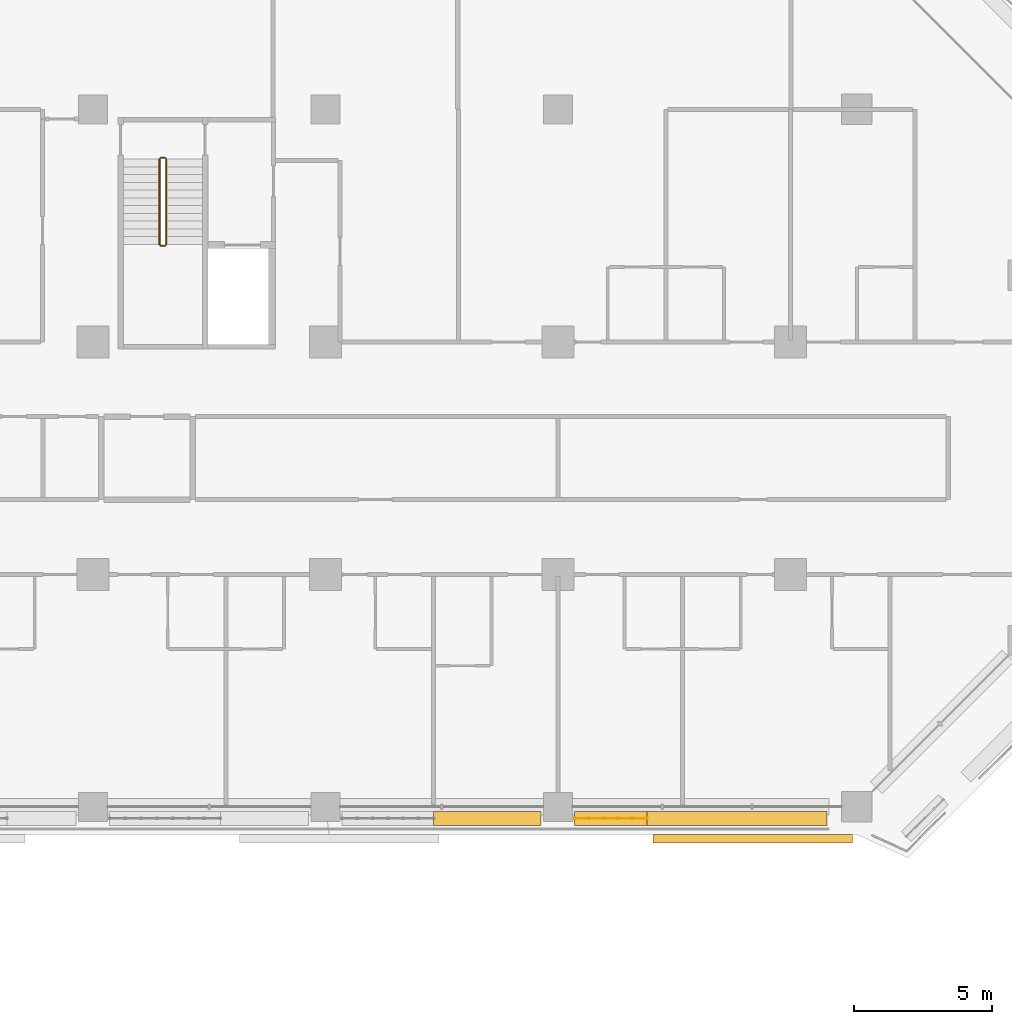
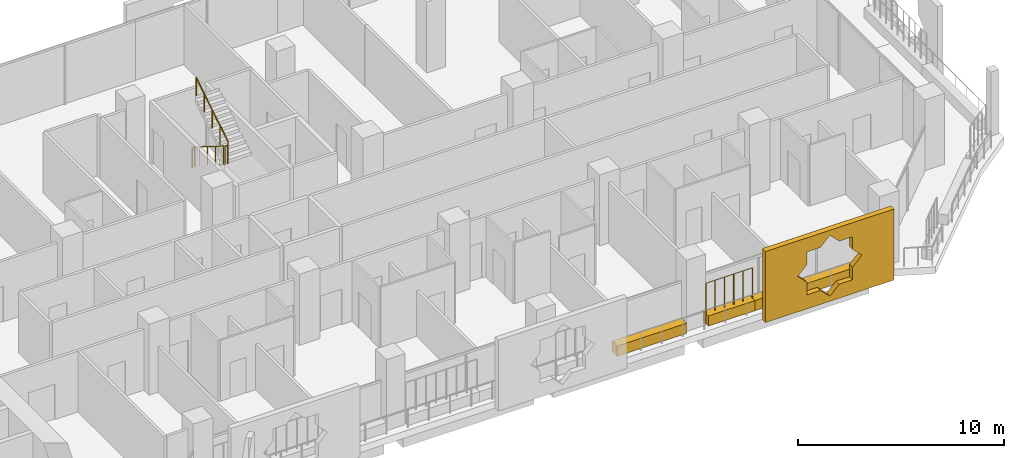
# One storey, part 24 of 26: 5 railings, 4 coverings.
"""IFC4 building model written with IfcOpenShell, lengths in metres."""

from ifc_helpers import new_model, si_unit, direction, frame, origin, origin_2d, place, context, subcontext, project, spatial, polyline, rectangle, circle, outline, extrude, material, material_profile, profile_set, type_object, element, save


model = new_model("IFC4")

# Units and contexts
model_context = context("Model", 3, precision=1e-05, world=origin(), true_north=direction((0.0, 1.0)))
body_context = subcontext(model_context, "Body", "Model", "MODEL_VIEW")
ifc_project = project(units=[si_unit("LENGTHUNIT", "METRE"), si_unit("AREAUNIT", "SQUARE_METRE"), si_unit("VOLUMEUNIT", "CUBIC_METRE"), si_unit("PLANEANGLEUNIT", "RADIAN"), si_unit("MASSUNIT", "GRAM", prefix="KILO")], contexts=[model_context])

# Site, building, storey
site_placement = place(None, origin())
site = spatial("IfcSite", under=ifc_project, at=site_placement, CompositionType="ELEMENT")
building_placement = place(site_placement, origin())
building = spatial("IfcBuilding", under=site, at=building_placement, Name="Kawkab Arch Medical Tower", CompositionType="ELEMENT")
storey_placement = place(building_placement, frame((0.0, 0.0, 119.800048828125)))
storey = spatial("IfcBuildingStorey", under=building, at=storey_placement, Name="L27", CompositionType="ELEMENT", Elevation=119.800048828125)

# Coverings
ifc_material_1 = material(Name="Bronze anodised aluminium mashrabiya panel, eight-point star pattern", Category="aluminium")
ifc_material_profile_1 = material_profile(ifc_material_1, outline(polyline([(-3.60009765625, -2.10009765625), (3.60009765625, -2.10009765625), (3.60009765625, 2.10009765625), (-3.60009765625, 2.10009765625), (-3.60009765625, -2.10009765625)]), holes=[polyline([(1.800048828125, 0.0), (1.272705078125, 0.527099609375), (1.272705078125, 1.272705078125), (0.527099609375, 1.272705078125), (0.0, 1.800048828125), (-0.527099609375, 1.272705078125), (-1.272705078125, 1.272705078125), (-1.272705078125, 0.527099609375), (-1.800048828125, 0.0), (-1.272705078125, -0.527099609375), (-1.272705078125, -1.272705078125), (-0.527099609375, -1.272705078125), (0.0, -1.800048828125), (0.527099609375, -1.272705078125), (1.272705078125, -1.272705078125), (1.272705078125, -0.527099609375), (1.800048828125, 0.0)])]), Name="Mashrabiya panel 7200x4200")
ifc_profile_set_1 = profile_set([ifc_material_profile_1], Name="Bronze anodised aluminium mashrabiya panel, eight-point star pattern")
covering_type_1 = type_object("IfcCoveringType", Name="Mashrabiya panel 7200 x 4200", PredefinedType="USERDEFINED", material=ifc_profile_set_1)
covering_1_placement = place(storey_placement, frame((65.840087890625, -26.199951171875, 1.699951171875), z_axis=(0.0, -1.0, 0.0), x_axis=(1.0, 0.0, 0.0)))
element("IfcCovering", 1, at=covering_1_placement, inside=storey, type_object=covering_type_1, Name="Mashrabiya panel L27.LOG-01-01.11", ObjectType="SCREEN", PredefinedType="USERDEFINED", context=body_context, shape_type="SweptSolid", body=[
    extrude(outline(polyline([(-3.60009765625, -2.10009765625), (3.60009765625, -2.10009765625), (3.60009765625, 2.10009765625), (-3.60009765625, 2.10009765625), (-3.60009765625, -2.10009765625)]), holes=[polyline([(1.800048828125, 0.0), (1.272705078125, 0.527099609375), (1.272705078125, 1.272705078125), (0.527099609375, 1.272705078125), (0.0, 1.800048828125), (-0.527099609375, 1.272705078125), (-1.272705078125, 1.272705078125), (-1.272705078125, 0.527099609375), (-1.800048828125, 0.0), (-1.272705078125, -0.527099609375), (-1.272705078125, -1.272705078125), (-0.527099609375, -1.272705078125), (0.0, -1.800048828125), (0.527099609375, -1.272705078125), (1.272705078125, -1.272705078125), (1.272705078125, -0.527099609375), (1.800048828125, 0.0)])]), origin(), (0.0, 0.0, 1.0), 0.300048828125),
])
ifc_material_2 = material(Name="Planting soil in a precast trough", Category="concrete")
ifc_material_profile_2 = material_profile(ifc_material_2, rectangle(XDim=0.5, YDim=0.60009765625, at=origin_2d()), Name="Trough 500x600")
ifc_profile_set_2 = profile_set([ifc_material_profile_2], Name="Planting soil in a precast trough")
covering_type_2 = type_object("IfcCoveringType", Name="Planter trough 500 x 600", PredefinedType="USERDEFINED", material=ifc_profile_set_2)
covering_2_placement = place(storey_placement, frame((68.52001953125, -25.6201171875, 0.300048828125), z_axis=(-1.0, 0.0, 0.0), x_axis=(0.0, -1.0, 0.0)))
element("IfcCovering", 2, at=covering_2_placement, inside=storey, type_object=covering_type_2, Name="Planter L27.LOG-01-01.34", ObjectType="PLANTER", PredefinedType="USERDEFINED", context=body_context, shape_type="SweptSolid", body=[
    extrude(rectangle(XDim=0.5, YDim=0.60009765625, at=origin_2d()), origin(), (0.0, 0.0, 1.0), 6.501953125),
])
covering_3_placement = place(storey_placement, frame((62.01806640625, -25.6201171875, 0.300048828125), z_axis=(-1.0, 0.0, 0.0), x_axis=(0.0, -1.0, 0.0)))
element("IfcCovering", 3, at=covering_3_placement, inside=storey, type_object=covering_type_2, Name="Planter L27.LOG-01-01.35", ObjectType="PLANTER", PredefinedType="USERDEFINED", context=body_context, shape_type="SweptSolid", body=[
    extrude(rectangle(XDim=0.5, YDim=0.60009765625, at=origin_2d()), origin(), (0.0, 0.0, 1.0), 2.613037109375),
])
covering_4_placement = place(storey_placement, frame((58.195068359375, -25.6201171875, 0.300048828125), z_axis=(-1.0, 0.0, 0.0), x_axis=(0.0, -1.0, 0.0)))
element("IfcCovering", 4, at=covering_4_placement, inside=storey, type_object=covering_type_2, Name="Planter L27.LOG-01-01.36", ObjectType="PLANTER", PredefinedType="USERDEFINED", context=body_context, shape_type="SweptSolid", body=[
    extrude(rectangle(XDim=0.5, YDim=0.60009765625, at=origin_2d()), origin(), (0.0, 0.0, 1.0), 3.885986328125),
])

# Railings
ifc_material_3 = material(Name="Bronze anodised aluminium trellis for climbing plants", Category="aluminium")
railing_type_1 = type_object("IfcRailingType", Name="Planting trellis 2400", PredefinedType="USERDEFINED", material=ifc_material_3)
railing_1_placement = place(storey_placement, frame((62.01806640625, -25.6201171875, 0.0)))
element("IfcRailing", 5, at=railing_1_placement, inside=storey, type_object=railing_type_1, Name="Planting trellis L27.LOG-01-01.35", ObjectType="TRELLIS", PredefinedType="USERDEFINED", context=body_context, shape_type="SweptSolid", body=[
    extrude(circle(Radius=0.01513671875, at=origin_2d()), frame((0.0, 0.0, 2.384765625), z_axis=(-1.0, 0.0, 0.0), x_axis=(0.0, -1.0, 0.0)), (0.0, 0.0, 1.0), 2.613037109375),
    extrude(circle(Radius=0.030029296875, at=origin_2d()), origin(), (0.0, 0.0, 1.0), 2.369873046875),
    extrude(circle(Radius=0.030029296875, at=origin_2d()), frame((-0.522705078125, 0.0, 0.0)), (0.0, 0.0, 1.0), 2.369873046875),
    extrude(circle(Radius=0.030029296875, at=origin_2d()), frame((-1.045166015625, 0.0, 0.0)), (0.0, 0.0, 1.0), 2.369873046875),
    extrude(circle(Radius=0.030029296875, at=origin_2d()), frame((-1.56787109375, 0.0, 0.0)), (0.0, 0.0, 1.0), 2.369873046875),
    extrude(circle(Radius=0.030029296875, at=origin_2d()), frame((-2.09033203125, 0.0, 0.0)), (0.0, 0.0, 1.0), 2.369873046875),
    extrude(circle(Radius=0.030029296875, at=origin_2d()), frame((-2.613037109375, 0.0, 0.0)), (0.0, 0.0, 1.0), 2.369873046875),
])
ifc_material_4 = material(Name="Stainless steel", Category="steel")
railing_type_2 = type_object("IfcRailingType", Name="Stair guard 1100", PredefinedType="GUARDRAIL", material=ifc_material_4)
railing_2_placement = place(storey_placement, frame((44.39990234375, -1.800048828125, 0.175048828125)))
element("IfcRailing", 6, at=railing_2_placement, inside=storey, type_object=railing_type_2, Name="L27 ST5 stair guard 1", PredefinedType="GUARDRAIL", context=body_context, shape_type="SweptSolid", body=[
    extrude(circle(Radius=0.02392578125, at=origin_2d()), frame((0.0, 0.0, 1.076171875), z_axis=(0.0, -0.848009633417, 0.529980812513), x_axis=(1.0, 0.0, 0.0)), (0.0, 0.0, 1.0), 3.6318359375),
    extrude(circle(Radius=0.02099609375, at=origin_2d()), origin(), (0.0, 0.0, 1.0), 1.052001953125),
    extrude(circle(Radius=0.02099609375, at=origin_2d()), frame((0.0, -0.77001953125, 0.481201171875)), (0.0, 0.0, 1.0), 1.052001953125),
    extrude(circle(Radius=0.02099609375, at=origin_2d()), frame((0.0, -1.5400390625, 0.96240234375)), (0.0, 0.0, 1.0), 1.052001953125),
    extrude(circle(Radius=0.02099609375, at=origin_2d()), frame((0.0, -2.309814453125, 1.443603515625)), (0.0, 0.0, 1.0), 1.052001953125),
    extrude(circle(Radius=0.02099609375, at=origin_2d()), frame((0.0, -3.079833984375, 1.9248046875)), (0.0, 0.0, 1.0), 1.052001953125),
])
railing_3_placement = place(storey_placement, frame((44.449951171875, -4.929931640625, 2.099853515625)))
element("IfcRailing", 7, at=railing_3_placement, inside=storey, type_object=railing_type_2, Name="L27 ST5 stair guard 2", PredefinedType="GUARDRAIL", context=body_context, shape_type="SweptSolid", body=[
    extrude(circle(Radius=0.02392578125, at=origin_2d()), frame((0.0, 0.0, 1.076171875), z_axis=(1.0, 0.0, 0.0), x_axis=(0.0, 1.0, 0.0)), (0.0, 0.0, 1.0), 0.150146484375),
    extrude(circle(Radius=0.02099609375, at=origin_2d()), origin(), (0.0, 0.0, 1.0), 1.052001953125),
    extrude(circle(Radius=0.02099609375, at=origin_2d()), frame((0.150146484375, 0.0, 0.0)), (0.0, 0.0, 1.0), 1.052001953125),
])
railing_4_placement = place(storey_placement, frame((44.64990234375, -4.8798828125, 2.27490234375)))
element("IfcRailing", 8, at=railing_4_placement, inside=storey, type_object=railing_type_2, Name="L27 ST5 stair guard 3", PredefinedType="GUARDRAIL", context=body_context, shape_type="SweptSolid", body=[
    extrude(circle(Radius=0.02392578125, at=origin_2d()), frame((0.0, 0.0, 1.076171875), z_axis=(0.0, 0.847979421464, 0.530029150871), x_axis=(-1.0, 0.0, 0.0)), (0.0, 0.0, 1.0), 3.632080078125),
    extrude(circle(Radius=0.02099609375, at=origin_2d()), origin(), (0.0, 0.0, 1.0), 1.052001953125),
    extrude(circle(Radius=0.02099609375, at=origin_2d()), frame((0.0, 0.77001953125, 0.481201171875)), (0.0, 0.0, 1.0), 1.052001953125),
    extrude(circle(Radius=0.02099609375, at=origin_2d()), frame((0.0, 1.5400390625, 0.96240234375)), (0.0, 0.0, 1.0), 1.052001953125),
    extrude(circle(Radius=0.02099609375, at=origin_2d()), frame((0.0, 2.309814453125, 1.44384765625)), (0.0, 0.0, 1.0), 1.052001953125),
    extrude(circle(Radius=0.02099609375, at=origin_2d()), frame((0.0, 3.079833984375, 1.925048828125)), (0.0, 0.0, 1.0), 1.052001953125),
])
railing_5_placement = place(storey_placement, frame((44.449951171875, -1.75, 0.0)))
element("IfcRailing", 9, at=railing_5_placement, inside=storey, type_object=railing_type_2, Name="L27 ST5 stair guard 4", PredefinedType="GUARDRAIL", context=body_context, shape_type="SweptSolid", body=[
    extrude(circle(Radius=0.02392578125, at=origin_2d()), frame((0.0, 0.0, 1.076171875), z_axis=(1.0, 0.0, 0.0), x_axis=(0.0, 1.0, 0.0)), (0.0, 0.0, 1.0), 0.150146484375),
    extrude(circle(Radius=0.02099609375, at=origin_2d()), origin(), (0.0, 0.0, 1.0), 1.052001953125),
    extrude(circle(Radius=0.02099609375, at=origin_2d()), frame((0.150146484375, 0.0, 0.0)), (0.0, 0.0, 1.0), 1.052001953125),
])

save(model, "model.ifc")
